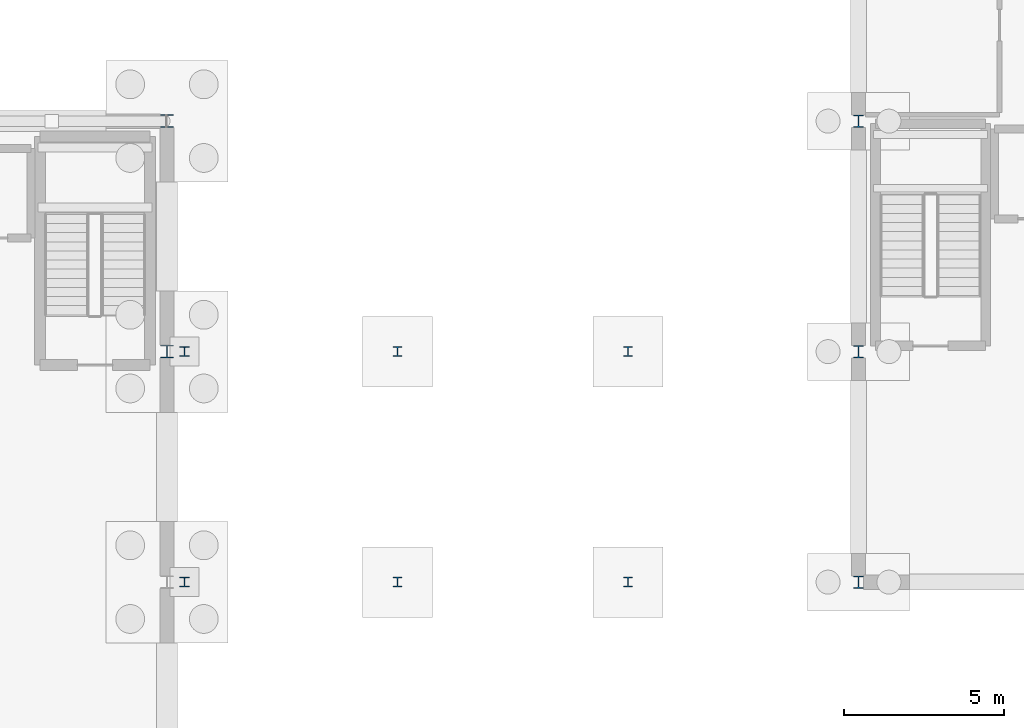
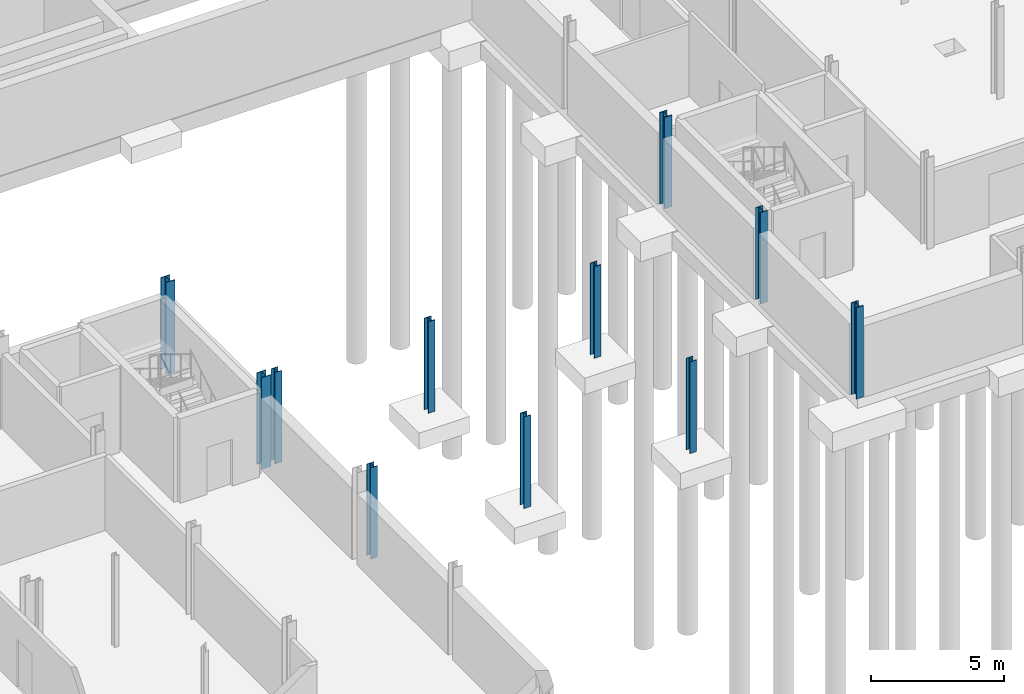
# One storey, part 22 of 50: 11 columns.
"""IFC4 building model written with IfcOpenShell, lengths in metres."""

from ifc_helpers import new_model, si_unit, direction, frame, origin, origin_2d, place, context, subcontext, project, spatial, i_section, extrude, material, material_profile, profile_set, type_object, element, save


model = new_model("IFC4")

# Units and contexts
model_context = context("Model", 3, precision=1e-05, world=origin(), true_north=direction((0.0, 1.0)))
body_context = subcontext(model_context, "Body", "Model", "MODEL_VIEW")
ifc_project = project(units=[si_unit("LENGTHUNIT", "METRE"), si_unit("AREAUNIT", "SQUARE_METRE"), si_unit("VOLUMEUNIT", "CUBIC_METRE"), si_unit("PLANEANGLEUNIT", "RADIAN"), si_unit("MASSUNIT", "GRAM", prefix="KILO")], contexts=[model_context])

# Site, building, storey
site_placement = place(None, origin())
site = spatial("IfcSite", under=ifc_project, at=site_placement, CompositionType="ELEMENT")
building_placement = place(site_placement, origin())
building = spatial("IfcBuilding", under=site, at=building_placement, Name="Narikvali Park Central Library", CompositionType="ELEMENT")
storey_placement = place(building_placement, frame((0.0, 0.0, -4.199951171875)))
storey = spatial("IfcBuildingStorey", under=building, at=storey_placement, Name="B1", CompositionType="ELEMENT", Elevation=-4.199951171875)

# Columns
ifc_material = material(Name="Steel S355", Category="steel")
ifc_material_profile_1 = material_profile(ifc_material, i_section(OverallWidth=0.2880859375, OverallDepth=0.31005859375, WebThickness=0.0185546875, FlangeThickness=0.032958984375, FilletRadius=0.02392578125, at=origin_2d()), Name="HEM 280")
ifc_profile_set_1 = profile_set([ifc_material_profile_1], Name="Steel S355")
column_type_1 = type_object("IfcColumnType", Name="Bridge Heavy Pier HEM280", PredefinedType="COLUMN", material=ifc_profile_set_1)
for number, where, z_axis, x_axis, name in (
    (1, (108.0, 79.199951171875, 0.0), (0.0, 0.0, 1.0), (1.0, 0.0, 0.0), "BRG-3 Bridge Pier B1"),
    (2, (108.0, 86.39990234375, 0.0), (0.0, 0.0, 1.0), (1.0, 0.0, 0.0), "BRG-3 Bridge Pier B1"),
    (3, (115.199951171875, 79.199951171875, 0.0), (0.0, 0.0, 1.0), (1.0, 0.0, 0.0), "BRG-3 Bridge Pier B1"),
    (4, (115.199951171875, 86.39990234375, 0.0), (0.0, 0.0, 1.0), (1.0, 0.0, 0.0), "BRG-3 Bridge Pier B1"),
):
    element("IfcColumn", number, at=place(storey_placement, frame(where, z_axis=z_axis, x_axis=x_axis)), inside=storey, type_object=column_type_1, Name=name, PredefinedType="COLUMN", context=body_context, shape_type="SweptSolid", body=[
        extrude(i_section(OverallWidth=0.2880859375, OverallDepth=0.31005859375, WebThickness=0.0185546875, FlangeThickness=0.032958984375, FilletRadius=0.02392578125, at=origin_2d()), origin(), (0.0, 0.0, 1.0), 4.199951171875),
    ])
ifc_material_profile_2 = material_profile(ifc_material, i_section(OverallWidth=0.40087890625, OverallDepth=0.39892578125, WebThickness=0.0185546875, FlangeThickness=0.029052734375, FilletRadius=0.014892578125, at=origin_2d()), Name="HD 400x314")
ifc_profile_set_2 = profile_set([ifc_material_profile_2], Name="Steel S355")
column_type_2 = type_object("IfcColumnType", Name="Steel Column HD400x314", PredefinedType="COLUMN", material=ifc_profile_set_2)
for number, where, z_axis, x_axis, name in (
    (5, (100.800048828125, 86.39990234375, 0.0), (0.0, 0.0, 1.0), (1.0, 0.0, 0.0), "V1 B1 Column (100.8,86.4)"),
    (6, (100.800048828125, 93.60009765625, 0.0), (0.0, 0.0, 1.0), (1.0, 0.0, 0.0), "V1 B1 Column (100.8,93.6)"),
):
    element("IfcColumn", number, at=place(storey_placement, frame(where, z_axis=z_axis, x_axis=x_axis)), inside=storey, type_object=column_type_2, Name=name, PredefinedType="COLUMN", context=body_context, shape_type="SweptSolid", body=[
        extrude(i_section(OverallWidth=0.40087890625, OverallDepth=0.39892578125, WebThickness=0.0185546875, FlangeThickness=0.029052734375, FilletRadius=0.014892578125, at=origin_2d()), origin(), (0.0, 0.0, 1.0), 4.199951171875),
    ])
ifc_material_profile_3 = material_profile(ifc_material, i_section(OverallWidth=0.300048828125, OverallDepth=0.300048828125, WebThickness=0.010986328125, FlangeThickness=0.01904296875, FilletRadius=0.027099609375, at=origin_2d()), Name="HEB 300")
ifc_profile_set_3 = profile_set([ifc_material_profile_3], Name="Steel S355")
column_type_3 = type_object("IfcColumnType", Name="Steel Column HEB300", PredefinedType="COLUMN", material=ifc_profile_set_3)
for number, where, z_axis, x_axis, name in (
    (7, (101.35009765625, 79.199951171875, 0.0), (0.0, 0.0, 1.0), (1.0, 0.0, 0.0), "BRG-3 Bridge Pier B1"),
    (8, (101.35009765625, 86.39990234375, 0.0), (0.0, 0.0, 1.0), (1.0, 0.0, 0.0), "BRG-3 Bridge Pier B1"),
):
    element("IfcColumn", number, at=place(storey_placement, frame(where, z_axis=z_axis, x_axis=x_axis)), inside=storey, type_object=column_type_3, Name=name, PredefinedType="COLUMN", context=body_context, shape_type="SweptSolid", body=[
        extrude(i_section(OverallWidth=0.300048828125, OverallDepth=0.300048828125, WebThickness=0.010986328125, FlangeThickness=0.01904296875, FilletRadius=0.027099609375, at=origin_2d()), origin(), (0.0, 0.0, 1.0), 4.199951171875),
    ])
ifc_material_profile_4 = material_profile(ifc_material, i_section(OverallWidth=0.30810546875, OverallDepth=0.39501953125, WebThickness=0.02099609375, FlangeThickness=0.035888671875, FilletRadius=0.027099609375, at=origin_2d()), Name="HEM 360")
ifc_profile_set_4 = profile_set([ifc_material_profile_4], Name="Steel S355")
column_type_4 = type_object("IfcColumnType", Name="Steel Column HEM360", PredefinedType="COLUMN", material=ifc_profile_set_4)
for number, where, z_axis, x_axis, name in (
    (9, (122.39990234375, 79.199951171875, 0.0), (0.0, 0.0, 1.0), (1.0, 0.0, 0.0), "V3 B1 Column (122.4,79.2)"),
    (10, (122.39990234375, 86.39990234375, 0.0), (0.0, 0.0, 1.0), (1.0, 0.0, 0.0), "V3 B1 Column (122.4,86.4)"),
    (11, (122.39990234375, 93.60009765625, 0.0), (0.0, 0.0, 1.0), (1.0, 0.0, 0.0), "V3 B1 Column (122.4,93.6)"),
):
    element("IfcColumn", number, at=place(storey_placement, frame(where, z_axis=z_axis, x_axis=x_axis)), inside=storey, type_object=column_type_4, Name=name, PredefinedType="COLUMN", context=body_context, shape_type="SweptSolid", body=[
        extrude(i_section(OverallWidth=0.30810546875, OverallDepth=0.39501953125, WebThickness=0.02099609375, FlangeThickness=0.035888671875, FilletRadius=0.027099609375, at=origin_2d()), origin(), (0.0, 0.0, 1.0), 4.199951171875),
    ])

save(model, "model.ifc")
